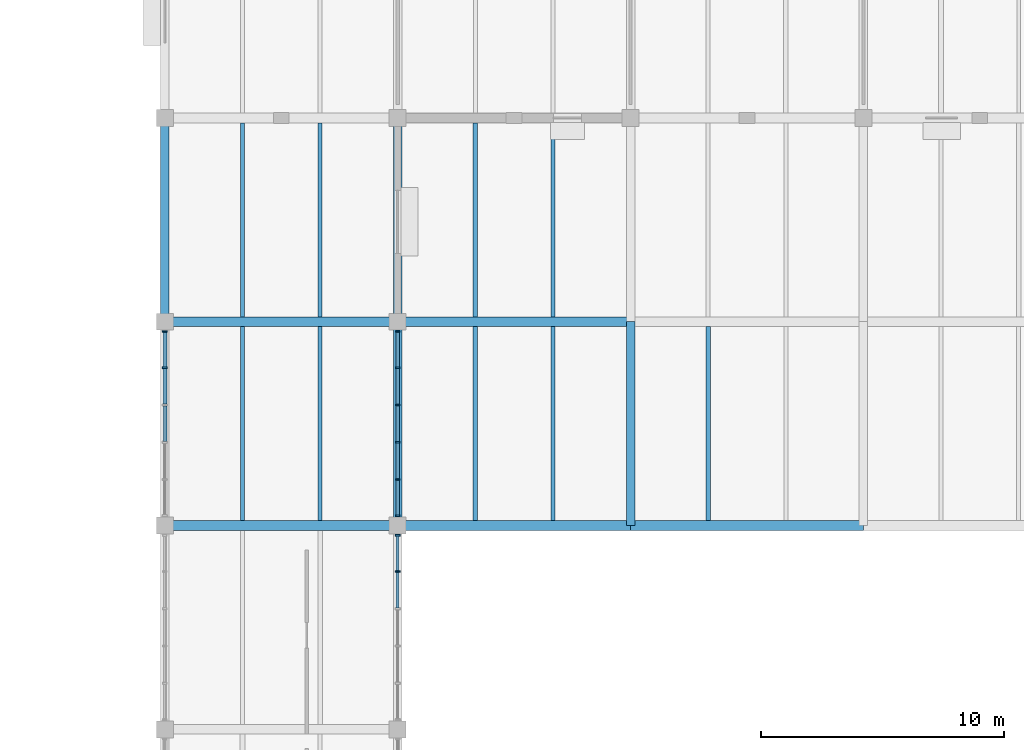
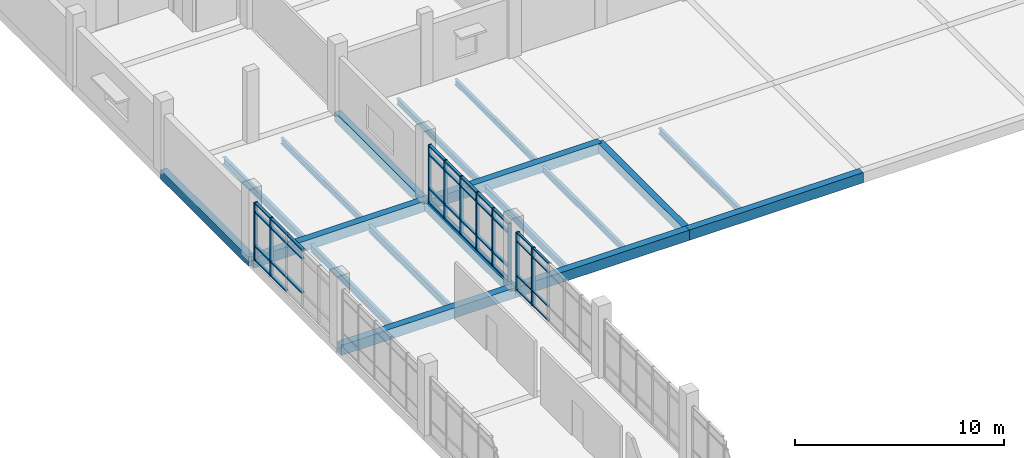
# One storey, part 13 of 57: 49 members, 18 beams, 3 elements without a shape of their own.
"""IFC4 building model written with IfcOpenShell, lengths in metres."""

import ifcopenshell
import ifcopenshell.guid

model = None  # the IFC model being written
_history = None  # IfcOwnerHistory: only IFC2X3 demands one
_inside = {}  # id of a spatial element -> (the spatial element, [elements in it])
_under = {}  # id of a project, library or spatial element -> (it, [spatial elements below it])
_declared = {}  # id of a project -> (the project, [libraries it declares])
_typed = {}  # id of a type object -> (the type object, [elements of that type])
_made_of = {}  # id of a material, layer set ... -> (it, [elements and type objects made of it])


def new_model(schema):
    """Start an empty IFC model of exactly this schema.

    Asked for "IFC4X3", IfcOpenShell would pick the latest addendum, in which some entities
    have other attributes; the version numbers below select the first issue.
    IFC2X3 requires an IfcOwnerHistory on every rooted entity: one is made here for all.
    """
    global model, _history
    if schema == "IFC4X3":
        model = ifcopenshell.file(schema_version=(4, 3, 0, 0))
    else:
        model = ifcopenshell.file(schema=schema)
    _inside.clear()
    _under.clear()
    _declared.clear()
    _typed.clear()
    _made_of.clear()
    _history = None
    if model.schema == "IFC2X3":
        org = make("IfcOrganization", Name="unknown")
        user = make(
            "IfcPersonAndOrganization",
            ThePerson=make("IfcPerson", FamilyName="unknown"),
            TheOrganization=org,
        )
        app = make(
            "IfcApplication",
            ApplicationDeveloper=org,
            Version="unknown",
            ApplicationFullName="unknown",
            ApplicationIdentifier="unknown",
        )
        _history = make(
            "IfcOwnerHistory",
            OwningUser=user,
            OwningApplication=app,
            ChangeAction="ADDED",
            CreationDate=0,
        )
    return model


def make(cls, **values):
    """One entity of the class cls with the attributes given. An attribute that is None is left unset."""
    return model.create_entity(
        cls, **{name: value for name, value in values.items() if value is not None}
    )


def rooted(cls, **values):
    """An entity with a GlobalId (a new one), such as an element, a storey or a relation."""
    return make(cls, GlobalId=ifcopenshell.guid.new(), OwnerHistory=_history, **values)


def si_unit(unit_type, name, prefix=None):
    """IfcSIUnit, for example si_unit("LENGTHUNIT", "METRE", prefix="MILLI")."""
    return make("IfcSIUnit", UnitType=unit_type, Prefix=prefix, Name=name)


def assignment(units):
    """IfcUnitAssignment: the units of a project."""
    return None if units is None else make("IfcUnitAssignment", Units=units)


def point(xyz):
    """IfcCartesianPoint."""
    return None if xyz is None else make("IfcCartesianPoint", Coordinates=xyz)


def direction(xyz):
    """IfcDirection."""
    return None if xyz is None else make("IfcDirection", DirectionRatios=xyz)


def frame(location, z_axis=None, x_axis=None):
    """IfcAxis2Placement3D, a coordinate frame: its origin and axes. An axis left out is left unset."""
    return make(
        "IfcAxis2Placement3D",
        Location=point(location),
        Axis=direction(z_axis),
        RefDirection=direction(x_axis),
    )


def frame_2d(location, x_axis=None):
    """IfcAxis2Placement2D, a coordinate frame in the plane: its origin and x axis."""
    return make(
        "IfcAxis2Placement2D", Location=point(location), RefDirection=direction(x_axis)
    )


def origin():
    """The frame at (0, 0, 0) with its axes left unset."""
    return frame((0.0, 0.0, 0.0))


def origin_2d():
    """The frame at (0, 0) in the plane with its x axis left unset."""
    return frame_2d((0.0, 0.0))


def place(relative_to, where):
    """IfcLocalPlacement: puts the frame where relative to a parent placement (None: the world)."""
    return make(
        "IfcLocalPlacement", PlacementRelTo=relative_to, RelativePlacement=where
    )


def context(
    kind, dimensions, precision=None, world=None, true_north=None, identifier=None
):
    """IfcGeometricRepresentationContext, for example the 3D "Model" context."""
    return make(
        "IfcGeometricRepresentationContext",
        ContextIdentifier=identifier,
        ContextType=kind,
        CoordinateSpaceDimension=dimensions,
        Precision=precision,
        WorldCoordinateSystem=world,
        TrueNorth=true_north,
    )


def subcontext(parent, identifier, kind, view, scale=None):
    """IfcGeometricRepresentationSubContext, for example "Body" below "Model"."""
    return make(
        "IfcGeometricRepresentationSubContext",
        ContextIdentifier=identifier,
        ContextType=kind,
        ParentContext=parent,
        TargetScale=scale,
        TargetView=view,
    )


def project(units=None, contexts=None):
    """IfcProject with its units and contexts."""
    return rooted(
        "IfcProject",
        Name="project",
        RepresentationContexts=contexts,
        UnitsInContext=assignment(units),
    )


def spatial(cls, under=None, at=None, **own):
    """A site, building, storey or space (cls), placed at a placement, below another one or the project."""
    s = rooted(cls, ObjectPlacement=at, **own)
    if under is not None:
        _under.setdefault(under.id(), (under, []))[1].append(s)
    return s


def profile(cls, at=None, kind="AREA", **sizes):
    """A parametric profile (cls). Its sizes go by their IFC names, for example OverallWidth=200.0."""
    return make(cls, ProfileType=kind, Position=at, **sizes)


def rectangle(**sizes):
    """IfcRectangleProfileDef."""
    return profile("IfcRectangleProfileDef", **sizes)


def i_section(**sizes):
    """IfcIShapeProfileDef."""
    return profile("IfcIShapeProfileDef", **sizes)


def extrude(swept, where, along, depth):
    """IfcExtrudedAreaSolid: the profile swept, set in the frame where, extruded along a direction by depth."""
    return make(
        "IfcExtrudedAreaSolid",
        SweptArea=swept,
        Position=where,
        ExtrudedDirection=direction(along),
        Depth=depth,
    )


def shape(context_of_items, identifier, shape_type, items):
    """IfcShapeRepresentation: the items that make up one representation, for example the "Body"."""
    return make(
        "IfcShapeRepresentation",
        ContextOfItems=context_of_items,
        RepresentationIdentifier=identifier,
        RepresentationType=shape_type,
        Items=items,
    )


def material(Name=None, Category=None):
    """IfcMaterial."""
    return make("IfcMaterial", Name=Name, Category=Category)


def material_profile(
    of_material, cross_section, Name=None, Category=None, Priority=None
):
    """IfcMaterialProfile: a cross section and its material."""
    return make(
        "IfcMaterialProfile",
        Name=Name,
        Material=of_material,
        Profile=cross_section,
        Priority=Priority,
        Category=Category,
    )


def profile_set(profiles, Name=None, composite=None):
    """IfcMaterialProfileSet."""
    return make(
        "IfcMaterialProfileSet",
        Name=Name,
        MaterialProfiles=profiles,
        CompositeProfile=composite,
    )


def made_of(thing, what):
    """Note that an element or type object is made of a material, layer set ...; save() writes the relation."""
    if what is not None:
        _made_of.setdefault(what.id(), (what, []))[1].append(thing)
    return thing


def type_object(cls, material=None, **own):
    """A type object (cls), such as IfcWallType, which elements share."""
    return made_of(rooted(cls, **own), material)


def element(
    cls,
    number,
    at=None,
    inside=None,
    cuts=None,
    type_object=None,
    material=None,
    context=None,
    identifier="Body",
    shape_type=None,
    held_by="IfcProductDefinitionShape",
    body=None,
    shapes=None,
    **own,
):
    """One element of the class cls, such as IfcWall. Its Tag is "e" and its number.

    at: its placement. inside: the storey or other place that contains it. cuts: it is an
    opening in that element (IfcRelVoidsElement). A single representation is given by context,
    identifier, shape_type and body (its items); several are given by shapes. held_by: the class
    of the entity that holds the representations. save() writes the other relations.
    """
    e = rooted(cls, Tag="e%d" % number, ObjectPlacement=at, **own)
    if body is not None:
        shapes = [shape(context, identifier, shape_type, body)]
    if shapes is not None:
        e.Representation = make(held_by, Representations=shapes)
    if inside is not None:
        _inside.setdefault(inside.id(), (inside, []))[1].append(e)
    if cuts is not None:
        rooted(
            "IfcRelVoidsElement", RelatingBuildingElement=cuts, RelatedOpeningElement=e
        )
    if type_object is not None:
        _typed.setdefault(type_object.id(), (type_object, []))[1].append(e)
    return made_of(e, material)


def aggregate(whole, parts):
    """IfcRelAggregates: a whole, such as a stair, and the parts it consists of."""
    return rooted("IfcRelAggregates", RelatingObject=whole, RelatedObjects=parts)


def save(model, path):
    """Write the relations noted so far, then the file.

    IfcRelAggregates (storeys below a building ...), IfcRelContainedInSpatialStructure (elements
    in a storey), IfcRelDefinesByType, IfcRelAssociatesMaterial and IfcRelDeclares: one each for
    every whole, place, type object, material and project.
    """
    for whole, parts in _under.values():
        aggregate(whole, parts)
    for where, things in _inside.values():
        rooted(
            "IfcRelContainedInSpatialStructure",
            RelatedElements=things,
            RelatingStructure=where,
        )
    for kind, things in _typed.values():
        rooted("IfcRelDefinesByType", RelatedObjects=things, RelatingType=kind)
    for what, things in _made_of.values():
        rooted("IfcRelAssociatesMaterial", RelatedObjects=things, RelatingMaterial=what)
    for by, libraries in _declared.values():
        rooted("IfcRelDeclares", RelatingContext=by, RelatedDefinitions=libraries)
    model.write(path)


model = new_model("IFC4")

# Units and contexts
model_context = context("Model", 3, precision=1e-05, world=origin(), true_north=direction((0.0, 1.0)))
body_context = subcontext(model_context, "Body", "Model", "MODEL_VIEW")
ifc_project = project(units=[si_unit("LENGTHUNIT", "METRE"), si_unit("AREAUNIT", "SQUARE_METRE"), si_unit("VOLUMEUNIT", "CUBIC_METRE"), si_unit("PLANEANGLEUNIT", "RADIAN"), si_unit("MASSUNIT", "GRAM", prefix="KILO")], contexts=[model_context])

# Site, building, storey
site_placement = place(None, origin())
site = spatial("IfcSite", under=ifc_project, at=site_placement, CompositionType="ELEMENT")
building_placement = place(site_placement, origin())
building = spatial("IfcBuilding", under=site, at=building_placement, Name="Oolite Switchyard Hospital", CompositionType="ELEMENT")
storey_placement = place(building_placement, frame((0.0, 0.0, 17.800048828125)))
storey = spatial("IfcBuildingStorey", under=building, at=storey_placement, Name="L04", CompositionType="ELEMENT", Elevation=17.800048828125)

# Beams
ifc_material_1 = material(Name="Concrete C40/50", Category="concrete")
ifc_material_profile_1 = material_profile(ifc_material_1, rectangle(XDim=0.35009765625, YDim=0.550048828125, at=origin_2d()), Name="RCB350X550")
ifc_profile_set_1 = profile_set([ifc_material_profile_1], Name="Concrete C40/50")
beam_type_1 = type_object("IfcBeamType", Name="BM-RC350X550", PredefinedType="BEAM", material=ifc_profile_set_1)
beam_1_placement = place(storey_placement, frame((134.39990234375, 67.199951171875, -0.275146484375), z_axis=(0.0, 1.0, 0.0), x_axis=(-1.0, 0.0, 0.0)))
element("IfcBeam", 1, at=beam_1_placement, inside=storey, type_object=beam_type_1, Name="L04 Y-Girder 2983", PredefinedType="BEAM", context=body_context, shape_type="SweptSolid", body=[
    extrude(rectangle(XDim=0.35009765625, YDim=0.550048828125, at=origin_2d()), origin(), (0.0, 0.0, 1.0), 8.400146484375),
])
beam_2_placement = place(storey_placement, frame((144.0, 58.800048828125, -0.275146484375), z_axis=(0.0, 1.0, 0.0), x_axis=(-1.0, 0.0, 0.0)))
element("IfcBeam", 2, at=beam_2_placement, inside=storey, type_object=beam_type_1, Name="L04 Y-Girder 2997", PredefinedType="BEAM", context=body_context, shape_type="SweptSolid", body=[
    extrude(rectangle(XDim=0.35009765625, YDim=0.550048828125, at=origin_2d()), origin(), (0.0, 0.0, 1.0), 8.39990234375),
])
beam_3_placement = place(storey_placement, frame((144.0, 67.199951171875, -0.275146484375), z_axis=(0.0, 1.0, 0.0), x_axis=(-1.0, 0.0, 0.0)))
element("IfcBeam", 3, at=beam_3_placement, inside=storey, type_object=beam_type_1, Name="L04 Y-Girder 2998", PredefinedType="BEAM", context=body_context, shape_type="SweptSolid", body=[
    extrude(rectangle(XDim=0.35009765625, YDim=0.550048828125, at=origin_2d()), origin(), (0.0, 0.0, 1.0), 8.400146484375),
])
beam_4_placement = place(storey_placement, frame((153.60009765625, 58.800048828125, -0.275146484375), z_axis=(0.0, 1.0, 0.0), x_axis=(-1.0, 0.0, 0.0)))
element("IfcBeam", 4, at=beam_4_placement, inside=storey, type_object=beam_type_1, Name="L04 Y-Girder 3008", PredefinedType="BEAM", context=body_context, shape_type="SweptSolid", body=[
    extrude(rectangle(XDim=0.35009765625, YDim=0.550048828125, at=origin_2d()), origin(), (0.0, 0.0, 1.0), 8.39990234375),
])
ifc_material_profile_2 = material_profile(ifc_material_1, rectangle(XDim=0.39990234375, YDim=0.60009765625, at=origin_2d()), Name="RCB400X600")
ifc_profile_set_2 = profile_set([ifc_material_profile_2], Name="Concrete C40/50")
beam_type_2 = type_object("IfcBeamType", Name="BM-RC400X600", PredefinedType="BEAM", material=ifc_profile_set_2)
for number, where, z_axis, x_axis, name in (
    (5, (134.39990234375, 58.800048828125, -0.300048828125), (1.0, 0.0, 0.0), (0.0, 1.0, 0.0), "L04 X-Girder 2802"),
    (6, (144.0, 58.800048828125, -0.300048828125), (1.0, 0.0, 0.0), (0.0, 1.0, 0.0), "L04 X-Girder 2803"),
):
    element("IfcBeam", number, at=place(storey_placement, frame(where, z_axis=z_axis, x_axis=x_axis)), inside=storey, type_object=beam_type_2, Name=name, PredefinedType="BEAM", context=body_context, shape_type="SweptSolid", body=[
        extrude(rectangle(XDim=0.39990234375, YDim=0.60009765625, at=origin_2d()), origin(), (0.0, 0.0, 1.0), 9.60009765625),
    ])
beam_5_placement = place(storey_placement, frame((153.60009765625, 58.800048828125, -0.300048828125), z_axis=(1.0, 0.0, 0.0), x_axis=(0.0, 1.0, 0.0)))
element("IfcBeam", 7, at=beam_5_placement, inside=storey, type_object=beam_type_2, Name="L04 X-Girder 2804", PredefinedType="BEAM", context=body_context, shape_type="SweptSolid", body=[
    extrude(rectangle(XDim=0.39990234375, YDim=0.60009765625, at=origin_2d()), origin(), (0.0, 0.0, 1.0), 9.599853515625),
])
for number, where, z_axis, x_axis, name in (
    (8, (134.39990234375, 67.199951171875, -0.300048828125), (1.0, 0.0, 0.0), (0.0, 1.0, 0.0), "L04 X-Girder 2813"),
    (9, (144.0, 67.199951171875, -0.300048828125), (1.0, 0.0, 0.0), (0.0, 1.0, 0.0), "L04 X-Girder 2814"),
):
    element("IfcBeam", number, at=place(storey_placement, frame(where, z_axis=z_axis, x_axis=x_axis)), inside=storey, type_object=beam_type_2, Name=name, PredefinedType="BEAM", context=body_context, shape_type="SweptSolid", body=[
        extrude(rectangle(XDim=0.39990234375, YDim=0.60009765625, at=origin_2d()), origin(), (0.0, 0.0, 1.0), 9.60009765625),
    ])
ifc_material_2 = material(Name="Steel ASTM A992 Grade 50", Category="steel")
ifc_material_profile_3 = material_profile(ifc_material_2, i_section(OverallWidth=0.1650390625, OverallDepth=0.31005859375, WebThickness=0.006103515625, FlangeThickness=0.010009765625, at=origin_2d()), Name="W12X26")
ifc_profile_set_3 = profile_set([ifc_material_profile_3], Name="Steel ASTM A992 Grade 50")
beam_type_3 = type_object("IfcBeamType", Name="BM-W12X26", PredefinedType="JOIST", material=ifc_profile_set_3)
beam_6_placement = place(storey_placement, frame((150.39990234375, 67.39990234375, -0.375), z_axis=(0.0, 1.0, 0.0), x_axis=(-1.0, 0.0, 0.0)))
element("IfcBeam", 10, at=beam_6_placement, inside=storey, type_object=beam_type_3, Name="L04 Secondary Steel Joist 3200", PredefinedType="JOIST", context=body_context, shape_type="SweptSolid", body=[
    extrude(i_section(OverallWidth=0.1650390625, OverallDepth=0.31005859375, WebThickness=0.006103515625, FlangeThickness=0.010009765625, at=origin_2d()), origin(), (0.0, 0.0, 1.0), 8.0),
])
ifc_material_profile_4 = material_profile(ifc_material_2, i_section(OverallWidth=0.1708984375, OverallDepth=0.35107421875, WebThickness=0.007080078125, FlangeThickness=0.010009765625, at=origin_2d()), Name="W14X30")
ifc_profile_set_4 = profile_set([ifc_material_profile_4], Name="Steel ASTM A992 Grade 50")
beam_type_4 = type_object("IfcBeamType", Name="BM-W14X30", PredefinedType="JOIST", material=ifc_profile_set_4)
for number, where, z_axis, x_axis, name in (
    (11, (140.800048828125, 67.39990234375, -0.449951171875), (0.0, 1.0, 0.0), (-1.0, 0.0, 0.0), "L04 Secondary Steel Joist 3180"),
    (12, (150.39990234375, 59.0, -0.39501953125), (0.0, 1.0, 0.0), (-1.0, 0.0, 0.0), "L04 Secondary Steel Joist 3198"),
    (13, (147.199951171875, 67.39990234375, -0.39501953125), (0.0, 1.0, 0.0), (-1.0, 0.0, 0.0), "L04 Secondary Steel Joist 3199"),
    (14, (156.800048828125, 59.0, -0.39501953125), (0.0, 1.0, 0.0), (-1.0, 0.0, 0.0), "L04 Secondary Steel Joist 3219"),
):
    element("IfcBeam", number, at=place(storey_placement, frame(where, z_axis=z_axis, x_axis=x_axis)), inside=storey, type_object=beam_type_4, Name=name, PredefinedType="JOIST", context=body_context, shape_type="SweptSolid", body=[
        extrude(i_section(OverallWidth=0.1708984375, OverallDepth=0.35107421875, WebThickness=0.007080078125, FlangeThickness=0.010009765625, at=origin_2d()), origin(), (0.0, 0.0, 1.0), 8.0),
    ])
ifc_material_profile_5 = material_profile(ifc_material_2, i_section(OverallWidth=0.177978515625, OverallDepth=0.403076171875, WebThickness=0.008056640625, FlangeThickness=0.010986328125, at=origin_2d()), Name="W16X36")
ifc_profile_set_5 = profile_set([ifc_material_profile_5], Name="Steel ASTM A992 Grade 50")
beam_type_5 = type_object("IfcBeamType", Name="BM-W16X36", PredefinedType="JOIST", material=ifc_profile_set_5)
for number, where, z_axis, x_axis, name in (
    (15, (140.800048828125, 59.0, -0.47607421875), (0.0, 1.0, 0.0), (-1.0, 0.0, 0.0), "L04 Secondary Steel Joist 3178"),
    (16, (137.60009765625, 67.39990234375, -0.47607421875), (0.0, 1.0, 0.0), (-1.0, 0.0, 0.0), "L04 Secondary Steel Joist 3179"),
    (17, (147.199951171875, 59.0, -0.421142578125), (0.0, 1.0, 0.0), (-1.0, 0.0, 0.0), "L04 Secondary Steel Joist 3197"),
):
    element("IfcBeam", number, at=place(storey_placement, frame(where, z_axis=z_axis, x_axis=x_axis)), inside=storey, type_object=beam_type_5, Name=name, PredefinedType="JOIST", context=body_context, shape_type="SweptSolid", body=[
        extrude(i_section(OverallWidth=0.177978515625, OverallDepth=0.403076171875, WebThickness=0.008056640625, FlangeThickness=0.010986328125, at=origin_2d()), origin(), (0.0, 0.0, 1.0), 8.0),
    ])
ifc_material_profile_6 = material_profile(ifc_material_2, i_section(OverallWidth=0.179931640625, OverallDepth=0.4130859375, WebThickness=0.010009765625, FlangeThickness=0.01611328125, at=origin_2d()), Name="W16X50")
ifc_profile_set_6 = profile_set([ifc_material_profile_6], Name="Steel ASTM A992 Grade 50")
beam_type_6 = type_object("IfcBeamType", Name="BM-W16X50", PredefinedType="JOIST", material=ifc_profile_set_6)
beam_7_placement = place(storey_placement, frame((137.60009765625, 59.0, -0.48095703125), z_axis=(0.0, 1.0, 0.0), x_axis=(-1.0, 0.0, 0.0)))
element("IfcBeam", 18, at=beam_7_placement, inside=storey, type_object=beam_type_6, Name="L04 Secondary Steel Joist 3177", PredefinedType="JOIST", context=body_context, shape_type="SweptSolid", body=[
    extrude(i_section(OverallWidth=0.179931640625, OverallDepth=0.4130859375, WebThickness=0.010009765625, FlangeThickness=0.01611328125, at=origin_2d()), origin(), (0.0, 0.0, 1.0), 8.0),
])

# Curtain wall, members
ifc_material_3 = material(Name="Thermally broken aluminum frame with laminated impact glazing", Category="aluminium")
curtain_wall_type = type_object("IfcCurtainWallType", Name="CW-UNIT-84X42", PredefinedType="USERDEFINED", material=ifc_material_3)
curtain_wall_1_placement = place(storey_placement, origin())
curtain_wall_1 = element("IfcCurtainWall", 19, at=curtain_wall_1_placement, inside=storey, type_object=curtain_wall_type, Name="L04 Unitised Curtain Wall 369", ObjectType="UNITISED", PredefinedType="USERDEFINED")
ifc_material_4 = material(Name="Aluminium 6063-T6", Category="aluminium")
ifc_material_profile_7 = material_profile(ifc_material_4, rectangle(XDim=0.179931640625, YDim=0.070068359375, at=origin_2d()), Name="CWM70X180")
ifc_profile_set_7 = profile_set([ifc_material_profile_7], Name="Aluminium 6063-T6")
member_type_1 = type_object("IfcMemberType", Name="CW-MUL-220", PredefinedType="MULLION", material=ifc_profile_set_7)
member_1_placement = place(storey_placement, frame((144.0, 66.800048828125, 0.0), z_axis=(0.0, 0.0, 1.0), x_axis=(1.0, 0.0, 0.0)))
member_1 = element("IfcMember", 20, at=member_1_placement, type_object=member_type_1, Name="CW-10 mullion 1", PredefinedType="MULLION", context=body_context, shape_type="SweptSolid", body=[
    extrude(rectangle(XDim=0.179931640625, YDim=0.070068359375, at=origin_2d()), origin(), (0.0, 0.0, 1.0), 3.389892578125),
])
member_2_placement = place(storey_placement, frame((144.0, 65.301025390625, 0.0), z_axis=(0.0, 0.0, 1.0), x_axis=(1.0, 0.0, 0.0)))
member_2 = element("IfcMember", 21, at=member_2_placement, type_object=member_type_1, Name="CW-10 mullion 2", PredefinedType="MULLION", context=body_context, shape_type="SweptSolid", body=[
    extrude(rectangle(XDim=0.179931640625, YDim=0.070068359375, at=origin_2d()), origin(), (0.0, 0.0, 1.0), 3.389892578125),
])
member_3_placement = place(storey_placement, frame((144.0, 63.76708984375, 0.0), z_axis=(0.0, 0.0, 1.0), x_axis=(1.0, 0.0, 0.0)))
member_3 = element("IfcMember", 22, at=member_3_placement, type_object=member_type_1, Name="CW-10 mullion 3", PredefinedType="MULLION", context=body_context, shape_type="SweptSolid", body=[
    extrude(rectangle(XDim=0.179931640625, YDim=0.070068359375, at=origin_2d()), origin(), (0.0, 0.0, 1.0), 3.389892578125),
])
member_4_placement = place(storey_placement, frame((144.0, 62.23291015625, 0.0), z_axis=(0.0, 0.0, 1.0), x_axis=(1.0, 0.0, 0.0)))
member_4 = element("IfcMember", 23, at=member_4_placement, type_object=member_type_1, Name="CW-10 mullion 4", PredefinedType="MULLION", context=body_context, shape_type="SweptSolid", body=[
    extrude(rectangle(XDim=0.179931640625, YDim=0.070068359375, at=origin_2d()), origin(), (0.0, 0.0, 1.0), 3.389892578125),
])
member_5_placement = place(storey_placement, frame((144.0, 60.698974609375, 0.0), z_axis=(0.0, 0.0, 1.0), x_axis=(1.0, 0.0, 0.0)))
member_5 = element("IfcMember", 24, at=member_5_placement, type_object=member_type_1, Name="CW-10 mullion 5", PredefinedType="MULLION", context=body_context, shape_type="SweptSolid", body=[
    extrude(rectangle(XDim=0.179931640625, YDim=0.070068359375, at=origin_2d()), origin(), (0.0, 0.0, 1.0), 3.389892578125),
])
member_6_placement = place(storey_placement, frame((144.0, 59.199951171875, 0.0), z_axis=(0.0, 0.0, 1.0), x_axis=(1.0, 0.0, 0.0)))
member_6 = element("IfcMember", 25, at=member_6_placement, type_object=member_type_1, Name="CW-10 mullion 6", PredefinedType="MULLION", context=body_context, shape_type="SweptSolid", body=[
    extrude(rectangle(XDim=0.179931640625, YDim=0.070068359375, at=origin_2d()), origin(), (0.0, 0.0, 1.0), 3.389892578125),
])

curtain_wall_2_placement = place(storey_placement, origin())
curtain_wall_2 = element("IfcCurtainWall", 26, at=curtain_wall_2_placement, inside=storey, type_object=curtain_wall_type, Name="L04 Unitised Curtain Wall 367", ObjectType="UNITISED", PredefinedType="USERDEFINED")
ifc_material_profile_8 = material_profile(ifc_material_4, rectangle(XDim=0.199951171875, YDim=0.074951171875, at=origin_2d()), Name="CWM75X200")
ifc_profile_set_8 = profile_set([ifc_material_profile_8], Name="Aluminium 6063-T6")
member_type_2 = type_object("IfcMemberType", Name="CW-MUL-260", PredefinedType="MULLION", material=ifc_profile_set_8)
member_7_placement = place(storey_placement, frame((134.39990234375, 65.301025390625, 0.0), z_axis=(0.0, 0.0, 1.0), x_axis=(-1.0, 0.0, 0.0)))
member_7 = element("IfcMember", 27, at=member_7_placement, type_object=member_type_2, Name="CW-10 mullion 5", PredefinedType="MULLION", context=body_context, shape_type="SweptSolid", body=[
    extrude(rectangle(XDim=0.199951171875, YDim=0.074951171875, at=origin_2d()), origin(), (0.0, 0.0, 1.0), 3.389892578125),
])
member_8_placement = place(storey_placement, frame((134.39990234375, 66.797607421875, 0.0), z_axis=(0.0, 0.0, 1.0), x_axis=(-1.0, 0.0, 0.0)))
member_8 = element("IfcMember", 28, at=member_8_placement, type_object=member_type_2, Name="CW-10 mullion 6", PredefinedType="MULLION", context=body_context, shape_type="SweptSolid", body=[
    extrude(rectangle(XDim=0.199951171875, YDim=0.074951171875, at=origin_2d()), origin(), (0.0, 0.0, 1.0), 3.389892578125),
])

curtain_wall_3_placement = place(storey_placement, origin())
curtain_wall_3 = element("IfcCurtainWall", 29, at=curtain_wall_3_placement, inside=storey, type_object=curtain_wall_type, Name="L04 Unitised Curtain Wall 370", ObjectType="UNITISED", PredefinedType="USERDEFINED")
member_9_placement = place(storey_placement, frame((144.0, 58.3974609375, 0.0), z_axis=(0.0, 0.0, 1.0), x_axis=(1.0, 0.0, 0.0)))
member_9 = element("IfcMember", 30, at=member_9_placement, type_object=member_type_2, Name="CW-10 mullion 1", PredefinedType="MULLION", context=body_context, shape_type="SweptSolid", body=[
    extrude(rectangle(XDim=0.199951171875, YDim=0.074951171875, at=origin_2d()), origin(), (0.0, 0.0, 1.0), 3.389892578125),
])
member_10_placement = place(storey_placement, frame((144.0, 56.90087890625, 0.0), z_axis=(0.0, 0.0, 1.0), x_axis=(1.0, 0.0, 0.0)))
member_10 = element("IfcMember", 31, at=member_10_placement, type_object=member_type_2, Name="CW-10 mullion 2", PredefinedType="MULLION", context=body_context, shape_type="SweptSolid", body=[
    extrude(rectangle(XDim=0.199951171875, YDim=0.074951171875, at=origin_2d()), origin(), (0.0, 0.0, 1.0), 3.389892578125),
])
ifc_material_profile_9 = material_profile(ifc_material_4, rectangle(XDim=0.1201171875, YDim=0.06005859375, at=origin_2d()), Name="CWT60X120")
ifc_profile_set_9 = profile_set([ifc_material_profile_9], Name="Aluminium 6063-T6")
member_type_3 = type_object("IfcMemberType", Name="CW-TRN-150", PredefinedType="USERDEFINED", material=ifc_profile_set_9)
member_11_placement = place(storey_placement, frame((144.0, 58.360107421875, 0.030029296875), z_axis=(0.0, -1.0, 0.0), x_axis=(1.0, 0.0, 0.0)))
member_11 = element("IfcMember", 32, at=member_11_placement, type_object=member_type_3, Name="CW-10 transom 1.1", ObjectType="TRANSOM", PredefinedType="USERDEFINED", context=body_context, shape_type="SweptSolid", body=[
    extrude(rectangle(XDim=0.1201171875, YDim=0.06005859375, at=origin_2d()), origin(), (0.0, 0.0, 1.0), 1.421630859375),
])
member_12_placement = place(storey_placement, frame((144.0, 58.360107421875, 0.849853515625), z_axis=(0.0, -1.0, 0.0), x_axis=(1.0, 0.0, 0.0)))
member_12 = element("IfcMember", 33, at=member_12_placement, type_object=member_type_3, Name="CW-10 transom 1.2", ObjectType="TRANSOM", PredefinedType="USERDEFINED", context=body_context, shape_type="SweptSolid", body=[
    extrude(rectangle(XDim=0.1201171875, YDim=0.06005859375, at=origin_2d()), origin(), (0.0, 0.0, 1.0), 1.421630859375),
])
member_13_placement = place(storey_placement, frame((144.0, 58.360107421875, 2.83984375), z_axis=(0.0, -1.0, 0.0), x_axis=(1.0, 0.0, 0.0)))
member_13 = element("IfcMember", 34, at=member_13_placement, type_object=member_type_3, Name="CW-10 transom 1.3", ObjectType="TRANSOM", PredefinedType="USERDEFINED", context=body_context, shape_type="SweptSolid", body=[
    extrude(rectangle(XDim=0.1201171875, YDim=0.06005859375, at=origin_2d()), origin(), (0.0, 0.0, 1.0), 1.421630859375),
])
member_14_placement = place(storey_placement, frame((144.0, 58.360107421875, 3.35986328125), z_axis=(0.0, -1.0, 0.0), x_axis=(1.0, 0.0, 0.0)))
member_14 = element("IfcMember", 35, at=member_14_placement, type_object=member_type_3, Name="CW-10 transom 1.4", ObjectType="TRANSOM", PredefinedType="USERDEFINED", context=body_context, shape_type="SweptSolid", body=[
    extrude(rectangle(XDim=0.1201171875, YDim=0.06005859375, at=origin_2d()), origin(), (0.0, 0.0, 1.0), 1.421630859375),
])
member_15_placement = place(storey_placement, frame((144.0, 56.863525390625, 0.030029296875), z_axis=(0.0, -1.0, 0.0), x_axis=(1.0, 0.0, 0.0)))
member_15 = element("IfcMember", 36, at=member_15_placement, type_object=member_type_3, Name="CW-10 transom 2.1", ObjectType="TRANSOM", PredefinedType="USERDEFINED", context=body_context, shape_type="SweptSolid", body=[
    extrude(rectangle(XDim=0.1201171875, YDim=0.06005859375, at=origin_2d()), origin(), (0.0, 0.0, 1.0), 1.458984375),
])
member_16_placement = place(storey_placement, frame((144.0, 56.863525390625, 0.849853515625), z_axis=(0.0, -1.0, 0.0), x_axis=(1.0, 0.0, 0.0)))
member_16 = element("IfcMember", 37, at=member_16_placement, type_object=member_type_3, Name="CW-10 transom 2.2", ObjectType="TRANSOM", PredefinedType="USERDEFINED", context=body_context, shape_type="SweptSolid", body=[
    extrude(rectangle(XDim=0.1201171875, YDim=0.06005859375, at=origin_2d()), origin(), (0.0, 0.0, 1.0), 1.458984375),
])
member_17_placement = place(storey_placement, frame((144.0, 56.863525390625, 2.83984375), z_axis=(0.0, -1.0, 0.0), x_axis=(1.0, 0.0, 0.0)))
member_17 = element("IfcMember", 38, at=member_17_placement, type_object=member_type_3, Name="CW-10 transom 2.3", ObjectType="TRANSOM", PredefinedType="USERDEFINED", context=body_context, shape_type="SweptSolid", body=[
    extrude(rectangle(XDim=0.1201171875, YDim=0.06005859375, at=origin_2d()), origin(), (0.0, 0.0, 1.0), 1.458984375),
])
member_18_placement = place(storey_placement, frame((144.0, 56.863525390625, 3.35986328125), z_axis=(0.0, -1.0, 0.0), x_axis=(1.0, 0.0, 0.0)))
member_18 = element("IfcMember", 39, at=member_18_placement, type_object=member_type_3, Name="CW-10 transom 2.4", ObjectType="TRANSOM", PredefinedType="USERDEFINED", context=body_context, shape_type="SweptSolid", body=[
    extrude(rectangle(XDim=0.1201171875, YDim=0.06005859375, at=origin_2d()), origin(), (0.0, 0.0, 1.0), 1.458984375),
])
aggregate(curtain_wall_3, [member_9, member_10, member_11, member_12, member_13, member_14, member_15, member_16, member_17, member_18])

# Member
ifc_material_profile_10 = material_profile(ifc_material_4, rectangle(XDim=0.159912109375, YDim=0.074951171875, at=origin_2d()), Name="CWT75X160")
ifc_profile_set_10 = profile_set([ifc_material_profile_10], Name="Aluminium 6063-T6")
member_type_4 = type_object("IfcMemberType", Name="CW-TRN-180", PredefinedType="USERDEFINED", material=ifc_profile_set_10)
member_19_placement = place(storey_placement, frame((134.39990234375, 62.2705078125, 0.849853515625), z_axis=(0.0, 1.0, 0.0), x_axis=(-1.0, 0.0, 0.0)))
member_19 = element("IfcMember", 40, at=member_19_placement, type_object=member_type_4, Name="CW-10 transom 3.2", ObjectType="TRANSOM", PredefinedType="USERDEFINED", context=body_context, shape_type="SweptSolid", body=[
    extrude(rectangle(XDim=0.159912109375, YDim=0.074951171875, at=origin_2d()), origin(), (0.0, 0.0, 1.0), 1.458984375),
])

member_20_placement = place(storey_placement, frame((134.39990234375, 62.2705078125, 2.83984375), z_axis=(0.0, 1.0, 0.0), x_axis=(-1.0, 0.0, 0.0)))
member_20 = element("IfcMember", 41, at=member_20_placement, type_object=member_type_4, Name="CW-10 transom 3.3", ObjectType="TRANSOM", PredefinedType="USERDEFINED", context=body_context, shape_type="SweptSolid", body=[
    extrude(rectangle(XDim=0.159912109375, YDim=0.074951171875, at=origin_2d()), origin(), (0.0, 0.0, 1.0), 1.458984375),
])

member_21_placement = place(storey_placement, frame((134.39990234375, 62.2705078125, 3.3525390625), z_axis=(0.0, 1.0, 0.0), x_axis=(-1.0, 0.0, 0.0)))
member_21 = element("IfcMember", 42, at=member_21_placement, type_object=member_type_4, Name="CW-10 transom 3.4", ObjectType="TRANSOM", PredefinedType="USERDEFINED", context=body_context, shape_type="SweptSolid", body=[
    extrude(rectangle(XDim=0.159912109375, YDim=0.074951171875, at=origin_2d()), origin(), (0.0, 0.0, 1.0), 1.458984375),
])

member_22_placement = place(storey_placement, frame((134.39990234375, 63.804443359375, 0.037353515625), z_axis=(0.0, 1.0, 0.0), x_axis=(-1.0, 0.0, 0.0)))
member_22 = element("IfcMember", 43, at=member_22_placement, type_object=member_type_4, Name="CW-10 transom 4.1", ObjectType="TRANSOM", PredefinedType="USERDEFINED", context=body_context, shape_type="SweptSolid", body=[
    extrude(rectangle(XDim=0.159912109375, YDim=0.074951171875, at=origin_2d()), origin(), (0.0, 0.0, 1.0), 1.458984375),
])

member_23_placement = place(storey_placement, frame((134.39990234375, 63.804443359375, 0.849853515625), z_axis=(0.0, 1.0, 0.0), x_axis=(-1.0, 0.0, 0.0)))
member_23 = element("IfcMember", 44, at=member_23_placement, type_object=member_type_4, Name="CW-10 transom 4.2", ObjectType="TRANSOM", PredefinedType="USERDEFINED", context=body_context, shape_type="SweptSolid", body=[
    extrude(rectangle(XDim=0.159912109375, YDim=0.074951171875, at=origin_2d()), origin(), (0.0, 0.0, 1.0), 1.458984375),
])

member_24_placement = place(storey_placement, frame((134.39990234375, 63.804443359375, 2.83984375), z_axis=(0.0, 1.0, 0.0), x_axis=(-1.0, 0.0, 0.0)))
member_24 = element("IfcMember", 45, at=member_24_placement, type_object=member_type_4, Name="CW-10 transom 4.3", ObjectType="TRANSOM", PredefinedType="USERDEFINED", context=body_context, shape_type="SweptSolid", body=[
    extrude(rectangle(XDim=0.159912109375, YDim=0.074951171875, at=origin_2d()), origin(), (0.0, 0.0, 1.0), 1.458984375),
])

member_25_placement = place(storey_placement, frame((134.39990234375, 63.804443359375, 3.3525390625), z_axis=(0.0, 1.0, 0.0), x_axis=(-1.0, 0.0, 0.0)))
member_25 = element("IfcMember", 46, at=member_25_placement, type_object=member_type_4, Name="CW-10 transom 4.4", ObjectType="TRANSOM", PredefinedType="USERDEFINED", context=body_context, shape_type="SweptSolid", body=[
    extrude(rectangle(XDim=0.159912109375, YDim=0.074951171875, at=origin_2d()), origin(), (0.0, 0.0, 1.0), 1.458984375),
])

member_26_placement = place(storey_placement, frame((134.39990234375, 65.33837890625, 0.037353515625), z_axis=(0.0, 1.0, 0.0), x_axis=(-1.0, 0.0, 0.0)))
member_26 = element("IfcMember", 47, at=member_26_placement, type_object=member_type_4, Name="CW-10 transom 5.1", ObjectType="TRANSOM", PredefinedType="USERDEFINED", context=body_context, shape_type="SweptSolid", body=[
    extrude(rectangle(XDim=0.159912109375, YDim=0.074951171875, at=origin_2d()), origin(), (0.0, 0.0, 1.0), 1.421630859375),
])

member_27_placement = place(storey_placement, frame((134.39990234375, 65.33837890625, 0.849853515625), z_axis=(0.0, 1.0, 0.0), x_axis=(-1.0, 0.0, 0.0)))
member_27 = element("IfcMember", 48, at=member_27_placement, type_object=member_type_4, Name="CW-10 transom 5.2", ObjectType="TRANSOM", PredefinedType="USERDEFINED", context=body_context, shape_type="SweptSolid", body=[
    extrude(rectangle(XDim=0.159912109375, YDim=0.074951171875, at=origin_2d()), origin(), (0.0, 0.0, 1.0), 1.421630859375),
])

member_28_placement = place(storey_placement, frame((134.39990234375, 65.33837890625, 2.83984375), z_axis=(0.0, 1.0, 0.0), x_axis=(-1.0, 0.0, 0.0)))
member_28 = element("IfcMember", 49, at=member_28_placement, type_object=member_type_4, Name="CW-10 transom 5.3", ObjectType="TRANSOM", PredefinedType="USERDEFINED", context=body_context, shape_type="SweptSolid", body=[
    extrude(rectangle(XDim=0.159912109375, YDim=0.074951171875, at=origin_2d()), origin(), (0.0, 0.0, 1.0), 1.421630859375),
])

member_29_placement = place(storey_placement, frame((134.39990234375, 65.33837890625, 3.3525390625), z_axis=(0.0, 1.0, 0.0), x_axis=(-1.0, 0.0, 0.0)))
member_29 = element("IfcMember", 50, at=member_29_placement, type_object=member_type_4, Name="CW-10 transom 5.4", ObjectType="TRANSOM", PredefinedType="USERDEFINED", context=body_context, shape_type="SweptSolid", body=[
    extrude(rectangle(XDim=0.159912109375, YDim=0.074951171875, at=origin_2d()), origin(), (0.0, 0.0, 1.0), 1.421630859375),
])

aggregate(curtain_wall_2, [member_7, member_8, member_19, member_20, member_21, member_22, member_23, member_24, member_25, member_26, member_27, member_28, member_29])

member_30_placement = place(storey_placement, frame((144.0, 66.764892578125, 0.037353515625), z_axis=(0.0, -1.0, 0.0), x_axis=(1.0, 0.0, 0.0)))
member_30 = element("IfcMember", 51, at=member_30_placement, type_object=member_type_4, Name="CW-10 transom 1.1", ObjectType="TRANSOM", PredefinedType="USERDEFINED", context=body_context, shape_type="SweptSolid", body=[
    extrude(rectangle(XDim=0.159912109375, YDim=0.074951171875, at=origin_2d()), origin(), (0.0, 0.0, 1.0), 1.428955078125),
])

member_31_placement = place(storey_placement, frame((144.0, 66.764892578125, 0.849853515625), z_axis=(0.0, -1.0, 0.0), x_axis=(1.0, 0.0, 0.0)))
member_31 = element("IfcMember", 52, at=member_31_placement, type_object=member_type_4, Name="CW-10 transom 1.2", ObjectType="TRANSOM", PredefinedType="USERDEFINED", context=body_context, shape_type="SweptSolid", body=[
    extrude(rectangle(XDim=0.159912109375, YDim=0.074951171875, at=origin_2d()), origin(), (0.0, 0.0, 1.0), 1.428955078125),
])

member_32_placement = place(storey_placement, frame((144.0, 66.764892578125, 2.83984375), z_axis=(0.0, -1.0, 0.0), x_axis=(1.0, 0.0, 0.0)))
member_32 = element("IfcMember", 53, at=member_32_placement, type_object=member_type_4, Name="CW-10 transom 1.3", ObjectType="TRANSOM", PredefinedType="USERDEFINED", context=body_context, shape_type="SweptSolid", body=[
    extrude(rectangle(XDim=0.159912109375, YDim=0.074951171875, at=origin_2d()), origin(), (0.0, 0.0, 1.0), 1.428955078125),
])

member_33_placement = place(storey_placement, frame((144.0, 66.764892578125, 3.3525390625), z_axis=(0.0, -1.0, 0.0), x_axis=(1.0, 0.0, 0.0)))
member_33 = element("IfcMember", 54, at=member_33_placement, type_object=member_type_4, Name="CW-10 transom 1.4", ObjectType="TRANSOM", PredefinedType="USERDEFINED", context=body_context, shape_type="SweptSolid", body=[
    extrude(rectangle(XDim=0.159912109375, YDim=0.074951171875, at=origin_2d()), origin(), (0.0, 0.0, 1.0), 1.428955078125),
])

member_34_placement = place(storey_placement, frame((144.0, 65.26611328125, 0.037353515625), z_axis=(0.0, -1.0, 0.0), x_axis=(1.0, 0.0, 0.0)))
member_34 = element("IfcMember", 55, at=member_34_placement, type_object=member_type_4, Name="CW-10 transom 2.1", ObjectType="TRANSOM", PredefinedType="USERDEFINED", context=body_context, shape_type="SweptSolid", body=[
    extrude(rectangle(XDim=0.159912109375, YDim=0.074951171875, at=origin_2d()), origin(), (0.0, 0.0, 1.0), 1.464111328125),
])

member_35_placement = place(storey_placement, frame((144.0, 65.26611328125, 0.849853515625), z_axis=(0.0, -1.0, 0.0), x_axis=(1.0, 0.0, 0.0)))
member_35 = element("IfcMember", 56, at=member_35_placement, type_object=member_type_4, Name="CW-10 transom 2.2", ObjectType="TRANSOM", PredefinedType="USERDEFINED", context=body_context, shape_type="SweptSolid", body=[
    extrude(rectangle(XDim=0.159912109375, YDim=0.074951171875, at=origin_2d()), origin(), (0.0, 0.0, 1.0), 1.464111328125),
])

member_36_placement = place(storey_placement, frame((144.0, 65.26611328125, 2.83984375), z_axis=(0.0, -1.0, 0.0), x_axis=(1.0, 0.0, 0.0)))
member_36 = element("IfcMember", 57, at=member_36_placement, type_object=member_type_4, Name="CW-10 transom 2.3", ObjectType="TRANSOM", PredefinedType="USERDEFINED", context=body_context, shape_type="SweptSolid", body=[
    extrude(rectangle(XDim=0.159912109375, YDim=0.074951171875, at=origin_2d()), origin(), (0.0, 0.0, 1.0), 1.464111328125),
])

member_37_placement = place(storey_placement, frame((144.0, 65.26611328125, 3.3525390625), z_axis=(0.0, -1.0, 0.0), x_axis=(1.0, 0.0, 0.0)))
member_37 = element("IfcMember", 58, at=member_37_placement, type_object=member_type_4, Name="CW-10 transom 2.4", ObjectType="TRANSOM", PredefinedType="USERDEFINED", context=body_context, shape_type="SweptSolid", body=[
    extrude(rectangle(XDim=0.159912109375, YDim=0.074951171875, at=origin_2d()), origin(), (0.0, 0.0, 1.0), 1.464111328125),
])

member_38_placement = place(storey_placement, frame((144.0, 63.73193359375, 0.037353515625), z_axis=(0.0, -1.0, 0.0), x_axis=(1.0, 0.0, 0.0)))
member_38 = element("IfcMember", 59, at=member_38_placement, type_object=member_type_4, Name="CW-10 transom 3.1", ObjectType="TRANSOM", PredefinedType="USERDEFINED", context=body_context, shape_type="SweptSolid", body=[
    extrude(rectangle(XDim=0.159912109375, YDim=0.074951171875, at=origin_2d()), origin(), (0.0, 0.0, 1.0), 1.4638671875),
])

member_39_placement = place(storey_placement, frame((144.0, 63.73193359375, 0.849853515625), z_axis=(0.0, -1.0, 0.0), x_axis=(1.0, 0.0, 0.0)))
member_39 = element("IfcMember", 60, at=member_39_placement, type_object=member_type_4, Name="CW-10 transom 3.2", ObjectType="TRANSOM", PredefinedType="USERDEFINED", context=body_context, shape_type="SweptSolid", body=[
    extrude(rectangle(XDim=0.159912109375, YDim=0.074951171875, at=origin_2d()), origin(), (0.0, 0.0, 1.0), 1.4638671875),
])

member_40_placement = place(storey_placement, frame((144.0, 63.73193359375, 2.83984375), z_axis=(0.0, -1.0, 0.0), x_axis=(1.0, 0.0, 0.0)))
member_40 = element("IfcMember", 61, at=member_40_placement, type_object=member_type_4, Name="CW-10 transom 3.3", ObjectType="TRANSOM", PredefinedType="USERDEFINED", context=body_context, shape_type="SweptSolid", body=[
    extrude(rectangle(XDim=0.159912109375, YDim=0.074951171875, at=origin_2d()), origin(), (0.0, 0.0, 1.0), 1.4638671875),
])

member_41_placement = place(storey_placement, frame((144.0, 63.73193359375, 3.3525390625), z_axis=(0.0, -1.0, 0.0), x_axis=(1.0, 0.0, 0.0)))
member_41 = element("IfcMember", 62, at=member_41_placement, type_object=member_type_4, Name="CW-10 transom 3.4", ObjectType="TRANSOM", PredefinedType="USERDEFINED", context=body_context, shape_type="SweptSolid", body=[
    extrude(rectangle(XDim=0.159912109375, YDim=0.074951171875, at=origin_2d()), origin(), (0.0, 0.0, 1.0), 1.4638671875),
])

member_42_placement = place(storey_placement, frame((144.0, 62.197998046875, 0.037353515625), z_axis=(0.0, -1.0, 0.0), x_axis=(1.0, 0.0, 0.0)))
member_42 = element("IfcMember", 63, at=member_42_placement, type_object=member_type_4, Name="CW-10 transom 4.1", ObjectType="TRANSOM", PredefinedType="USERDEFINED", context=body_context, shape_type="SweptSolid", body=[
    extrude(rectangle(XDim=0.159912109375, YDim=0.074951171875, at=origin_2d()), origin(), (0.0, 0.0, 1.0), 1.464111328125),
])

member_43_placement = place(storey_placement, frame((144.0, 62.197998046875, 0.849853515625), z_axis=(0.0, -1.0, 0.0), x_axis=(1.0, 0.0, 0.0)))
member_43 = element("IfcMember", 64, at=member_43_placement, type_object=member_type_4, Name="CW-10 transom 4.2", ObjectType="TRANSOM", PredefinedType="USERDEFINED", context=body_context, shape_type="SweptSolid", body=[
    extrude(rectangle(XDim=0.159912109375, YDim=0.074951171875, at=origin_2d()), origin(), (0.0, 0.0, 1.0), 1.464111328125),
])

member_44_placement = place(storey_placement, frame((144.0, 62.197998046875, 2.83984375), z_axis=(0.0, -1.0, 0.0), x_axis=(1.0, 0.0, 0.0)))
member_44 = element("IfcMember", 65, at=member_44_placement, type_object=member_type_4, Name="CW-10 transom 4.3", ObjectType="TRANSOM", PredefinedType="USERDEFINED", context=body_context, shape_type="SweptSolid", body=[
    extrude(rectangle(XDim=0.159912109375, YDim=0.074951171875, at=origin_2d()), origin(), (0.0, 0.0, 1.0), 1.464111328125),
])

member_45_placement = place(storey_placement, frame((144.0, 62.197998046875, 3.3525390625), z_axis=(0.0, -1.0, 0.0), x_axis=(1.0, 0.0, 0.0)))
member_45 = element("IfcMember", 66, at=member_45_placement, type_object=member_type_4, Name="CW-10 transom 4.4", ObjectType="TRANSOM", PredefinedType="USERDEFINED", context=body_context, shape_type="SweptSolid", body=[
    extrude(rectangle(XDim=0.159912109375, YDim=0.074951171875, at=origin_2d()), origin(), (0.0, 0.0, 1.0), 1.464111328125),
])

member_46_placement = place(storey_placement, frame((144.0, 60.6640625, 0.037353515625), z_axis=(0.0, -1.0, 0.0), x_axis=(1.0, 0.0, 0.0)))
member_46 = element("IfcMember", 67, at=member_46_placement, type_object=member_type_4, Name="CW-10 transom 5.1", ObjectType="TRANSOM", PredefinedType="USERDEFINED", context=body_context, shape_type="SweptSolid", body=[
    extrude(rectangle(XDim=0.159912109375, YDim=0.074951171875, at=origin_2d()), origin(), (0.0, 0.0, 1.0), 1.428955078125),
])

member_47_placement = place(storey_placement, frame((144.0, 60.6640625, 0.849853515625), z_axis=(0.0, -1.0, 0.0), x_axis=(1.0, 0.0, 0.0)))
member_47 = element("IfcMember", 68, at=member_47_placement, type_object=member_type_4, Name="CW-10 transom 5.2", ObjectType="TRANSOM", PredefinedType="USERDEFINED", context=body_context, shape_type="SweptSolid", body=[
    extrude(rectangle(XDim=0.159912109375, YDim=0.074951171875, at=origin_2d()), origin(), (0.0, 0.0, 1.0), 1.428955078125),
])

member_48_placement = place(storey_placement, frame((144.0, 60.6640625, 2.83984375), z_axis=(0.0, -1.0, 0.0), x_axis=(1.0, 0.0, 0.0)))
member_48 = element("IfcMember", 69, at=member_48_placement, type_object=member_type_4, Name="CW-10 transom 5.3", ObjectType="TRANSOM", PredefinedType="USERDEFINED", context=body_context, shape_type="SweptSolid", body=[
    extrude(rectangle(XDim=0.159912109375, YDim=0.074951171875, at=origin_2d()), origin(), (0.0, 0.0, 1.0), 1.428955078125),
])

member_49_placement = place(storey_placement, frame((144.0, 60.6640625, 3.3525390625), z_axis=(0.0, -1.0, 0.0), x_axis=(1.0, 0.0, 0.0)))
member_49 = element("IfcMember", 70, at=member_49_placement, type_object=member_type_4, Name="CW-10 transom 5.4", ObjectType="TRANSOM", PredefinedType="USERDEFINED", context=body_context, shape_type="SweptSolid", body=[
    extrude(rectangle(XDim=0.159912109375, YDim=0.074951171875, at=origin_2d()), origin(), (0.0, 0.0, 1.0), 1.428955078125),
])

aggregate(curtain_wall_1, [member_1, member_2, member_3, member_4, member_5, member_6, member_30, member_31, member_32, member_33, member_34, member_35, member_36, member_37, member_38, member_39, member_40, member_41, member_42, member_43, member_44, member_45, member_46, member_47, member_48, member_49])

save(model, "model.ifc")
